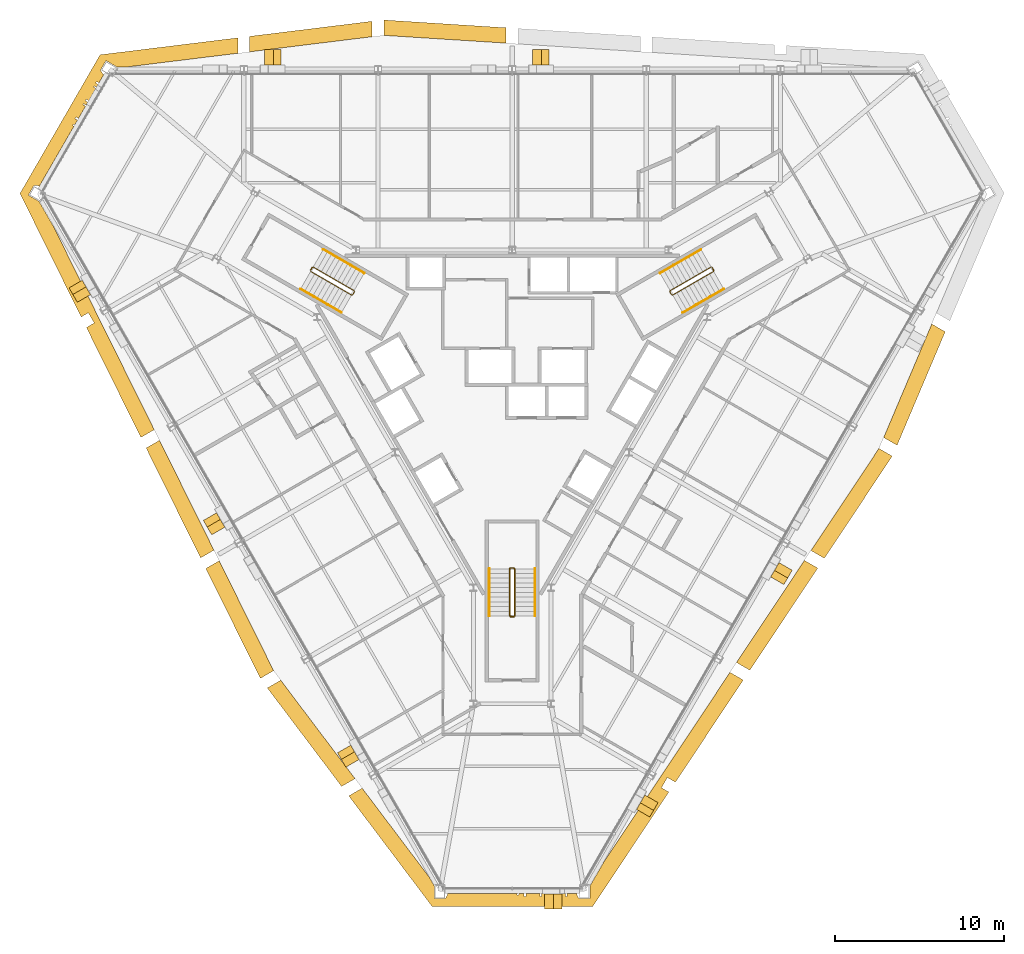
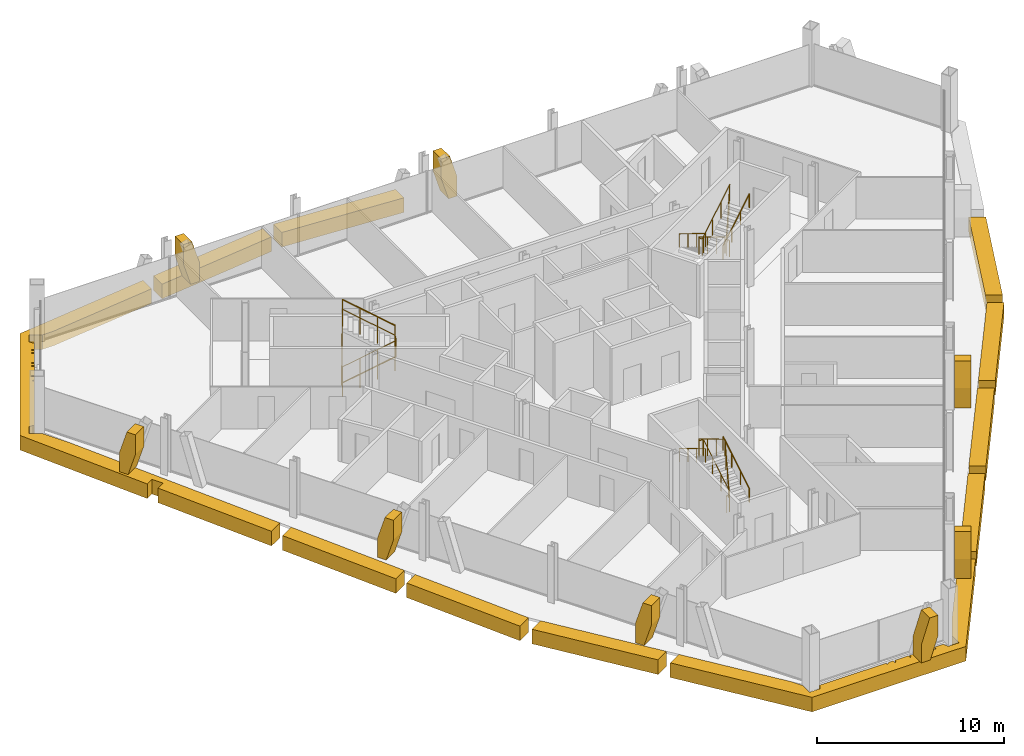
# One storey, part 13 of 14: 18 coverings, 9 railings.
"""IFC4 building model written with IfcOpenShell, lengths in metres."""

from ifc_helpers import new_model, si_unit, direction, frame, origin, origin_2d, place, context, subcontext, project, spatial, polyline, circle, outline, extrude, material, layer, layer_set, type_object, element, save


model = new_model("IFC4")

# Units and contexts
model_context = context("Model", 3, precision=1e-05, world=origin(), true_north=direction((0.0, 1.0)))
body_context = subcontext(model_context, "Body", "Model", "MODEL_VIEW")
ifc_project = project(units=[si_unit("LENGTHUNIT", "METRE"), si_unit("AREAUNIT", "SQUARE_METRE"), si_unit("VOLUMEUNIT", "CUBIC_METRE"), si_unit("PLANEANGLEUNIT", "RADIAN"), si_unit("MASSUNIT", "GRAM", prefix="KILO")], contexts=[model_context])

# Site, building, storey
site_placement = place(None, origin())
site = spatial("IfcSite", under=ifc_project, at=site_placement, CompositionType="ELEMENT")
building_placement = place(site_placement, origin())
building = spatial("IfcBuilding", under=site, at=building_placement, Name="Verrane Prism Tower", CompositionType="ELEMENT")
storey_placement = place(building_placement, frame((0.0, 0.0, 193.199951171875)))
storey = spatial("IfcBuildingStorey", under=building, at=storey_placement, Name="L48", CompositionType="ELEMENT", Elevation=193.199951171875)

# Railings
ifc_material_1 = material(Name="Steel A36 rail and posts, no infill", Category="steel")
railing_type_1 = type_object("IfcRailingType", Name="Stair guard 1100 steel rail and posts", PredefinedType="GUARDRAIL", material=ifc_material_1)
railing_1_placement = place(storey_placement, frame((11.78955078125, 6.97998046875, 0.168212890625)))
element("IfcRailing", 1, at=railing_1_placement, inside=storey, type_object=railing_type_1, Name="Stair 1 guard", PredefinedType="GUARDRAIL", context=body_context, shape_type="SweptSolid", body=[
    extrude(circle(Radius=0.02392578125, at=origin_2d()), frame((0.0, 0.0, 1.076171875), z_axis=(-0.742366697286, -0.42866220388, 0.514917859203), x_axis=(0.500049511043, -0.865996816683, 0.0)), (0.0, 0.0, 1.0), 3.266357421875),
    extrude(circle(Radius=0.02392578125, at=origin_2d()), frame((-2.4248046875, -1.400146484375, 2.7578125), z_axis=(-0.259601060869, -0.965715946433, 0.0), x_axis=(0.965715946433, -0.259601060869, 0.0)), (0.0, 0.0, 1.0), 0.070556640625),
    extrude(circle(Radius=0.02392578125, at=origin_2d()), frame((-2.443115234375, -1.46826171875, 2.7578125), z_axis=(0.499158860599, -0.866510491504, 0.0), x_axis=(0.866510491504, 0.499158860599, 0.0)), (0.0, 0.0, 1.0), 0.199951171875),
    extrude(circle(Radius=0.02392578125, at=origin_2d()), frame((-2.34326171875, -1.6416015625, 2.7578125), z_axis=(0.374585375571, -0.100335368456, 0.921747584887), x_axis=(0.258736085224, 0.965948051503, 0.0)), (0.0, 0.0, 1.0), 0.182373046875),
    extrude(circle(Radius=0.02392578125, at=origin_2d()), frame((-2.27490234375, -1.659912109375, 2.92626953125), z_axis=(0.742395268701, 0.428678701772, 0.514862928999), x_axis=(-0.500049511043, 0.865996816683, 0.0)), (0.0, 0.0, 1.0), 3.26611328125),
    extrude(circle(Radius=0.02392578125, at=origin_2d()), frame((0.14990234375, -0.259765625, 4.60791015625), z_axis=(-0.021986835041, 0.065104730107, -0.997636182785), x_axis=(-0.947430582667, -0.3199613899, 0.0)), (0.0, 0.0, 1.0), 3.708740234375),
    extrude(circle(Radius=0.02392578125, at=origin_2d()), frame((0.068359375, -0.018310546875, 0.90771484375), z_axis=(0.499158860599, -0.866510491504, 0.0), x_axis=(0.866510491504, 0.499158860599, 0.0)), (0.0, 0.0, 1.0), 0.199951171875),
    extrude(circle(Radius=0.02099609375, at=origin_2d()), origin(), (0.0, 0.0, 1.0), 1.052001953125),
    extrude(circle(Radius=0.02099609375, at=origin_2d()), frame((-0.808349609375, -0.466796875, 0.560546875)), (0.0, 0.0, 1.0), 1.052001953125),
    extrude(circle(Radius=0.02099609375, at=origin_2d()), frame((-1.616455078125, -0.933349609375, 1.121337890625)), (0.0, 0.0, 1.0), 1.052001953125),
    extrude(circle(Radius=0.02099609375, at=origin_2d()), frame((-2.4248046875, -1.400146484375, 1.681884765625)), (0.0, 0.0, 1.0), 1.052001953125),
    extrude(circle(Radius=0.02099609375, at=origin_2d()), frame((-2.443115234375, -1.46826171875, 1.681884765625)), (0.0, 0.0, 1.0), 1.052001953125),
    extrude(circle(Radius=0.02099609375, at=origin_2d()), frame((-2.34326171875, -1.6416015625, 1.681884765625)), (0.0, 0.0, 1.0), 1.052001953125),
    extrude(circle(Radius=0.02099609375, at=origin_2d()), frame((-2.27490234375, -1.659912109375, 1.85009765625)), (0.0, 0.0, 1.0), 1.052001953125),
    extrude(circle(Radius=0.02099609375, at=origin_2d()), frame((-1.466552734375, -1.193115234375, 2.41064453125)), (0.0, 0.0, 1.0), 1.052001953125),
    extrude(circle(Radius=0.02099609375, at=origin_2d()), frame((-0.658447265625, -0.7265625, 2.97119140625)), (0.0, 0.0, 1.0), 1.052001953125),
    extrude(circle(Radius=0.02099609375, at=origin_2d()), frame((0.14990234375, -0.259765625, 3.53173828125)), (0.0, 0.0, 1.0), 1.052001953125),
    extrude(circle(Radius=0.02099609375, at=origin_2d()), frame((0.12939453125, -0.199462890625, 2.606689453125)), (0.0, 0.0, 1.0), 1.052001953125),
    extrude(circle(Radius=0.02099609375, at=origin_2d()), frame((0.109130859375, -0.13916015625, 1.681640625)), (0.0, 0.0, 1.0), 1.052001953125),
    extrude(circle(Radius=0.02099609375, at=origin_2d()), frame((0.0888671875, -0.07861328125, 0.7568359375)), (0.0, 0.0, 1.0), 1.052001953125),
    extrude(circle(Radius=0.02099609375, at=origin_2d()), frame((0.068359375, -0.018310546875, -0.168212890625)), (0.0, 0.0, 1.0), 1.052001953125),
    extrude(circle(Radius=0.02099609375, at=origin_2d()), frame((0.168212890625, -0.191650390625, -0.168212890625)), (0.0, 0.0, 1.0), 1.052001953125),
])
railing_2_placement = place(storey_placement, frame((-11.939453125, 6.72021484375, 0.168212890625)))
element("IfcRailing", 2, at=railing_2_placement, inside=storey, type_object=railing_type_1, Name="Stair 2 guard", PredefinedType="GUARDRAIL", context=body_context, shape_type="SweptSolid", body=[
    extrude(circle(Radius=0.02392578125, at=origin_2d()), frame((0.0, 0.0, 1.076171875), z_axis=(0.742366697286, -0.42866220388, 0.514917859203), x_axis=(0.500049511043, 0.865996816683, 0.0)), (0.0, 0.0, 1.0), 3.266357421875),
    extrude(circle(Radius=0.02392578125, at=origin_2d()), frame((2.4248046875, -1.400146484375, 2.7578125), z_axis=(0.965948051503, 0.258736085224, 0.0), x_axis=(-0.258736085224, 0.965948051503, 0.0)), (0.0, 0.0, 1.0), 0.07080078125),
    extrude(circle(Radius=0.02392578125, at=origin_2d()), frame((2.4931640625, -1.3818359375, 2.7578125), z_axis=(0.499158860599, 0.866510491504, 0.0), x_axis=(-0.866510491504, 0.499158860599, 0.0)), (0.0, 0.0, 1.0), 0.199951171875),
    extrude(circle(Radius=0.02392578125, at=origin_2d()), frame((2.593017578125, -1.20849609375, 2.7578125), z_axis=(-0.100385596638, 0.373434419493, 0.922209014446), x_axis=(-0.965715946433, -0.259601060869, 0.0)), (0.0, 0.0, 1.0), 0.182373046875),
    extrude(circle(Radius=0.02392578125, at=origin_2d()), frame((2.57470703125, -1.140380859375, 2.92626953125), z_axis=(-0.742395268701, 0.428678701772, 0.514862928999), x_axis=(-0.500049511043, -0.865996816683, 0.0)), (0.0, 0.0, 1.0), 3.26611328125),
    extrude(circle(Radius=0.02392578125, at=origin_2d()), frame((0.14990234375, 0.259765625, 4.60791015625), z_axis=(-0.04535595117, -0.051675503147, -0.99763343973), x_axis=(0.751567565678, -0.659656118156, 0.0)), (0.0, 0.0, 1.0), 3.708740234375),
    extrude(circle(Radius=0.02392578125, at=origin_2d()), frame((-0.018310546875, 0.068115234375, 0.90771484375), z_axis=(0.499158860599, 0.866510491504, 0.0), x_axis=(-0.866510491504, 0.499158860599, 0.0)), (0.0, 0.0, 1.0), 0.199951171875),
    extrude(circle(Radius=0.02099609375, at=origin_2d()), origin(), (0.0, 0.0, 1.0), 1.052001953125),
    extrude(circle(Radius=0.02099609375, at=origin_2d()), frame((0.808349609375, -0.466796875, 0.560546875)), (0.0, 0.0, 1.0), 1.052001953125),
    extrude(circle(Radius=0.02099609375, at=origin_2d()), frame((1.616455078125, -0.933349609375, 1.121337890625)), (0.0, 0.0, 1.0), 1.052001953125),
    extrude(circle(Radius=0.02099609375, at=origin_2d()), frame((2.4248046875, -1.400146484375, 1.681884765625)), (0.0, 0.0, 1.0), 1.052001953125),
    extrude(circle(Radius=0.02099609375, at=origin_2d()), frame((2.4931640625, -1.3818359375, 1.681884765625)), (0.0, 0.0, 1.0), 1.052001953125),
    extrude(circle(Radius=0.02099609375, at=origin_2d()), frame((2.593017578125, -1.20849609375, 1.681884765625)), (0.0, 0.0, 1.0), 1.052001953125),
    extrude(circle(Radius=0.02099609375, at=origin_2d()), frame((2.57470703125, -1.140380859375, 1.85009765625)), (0.0, 0.0, 1.0), 1.052001953125),
    extrude(circle(Radius=0.02099609375, at=origin_2d()), frame((1.766357421875, -0.673583984375, 2.41064453125)), (0.0, 0.0, 1.0), 1.052001953125),
    extrude(circle(Radius=0.02099609375, at=origin_2d()), frame((0.958251953125, -0.20703125, 2.97119140625)), (0.0, 0.0, 1.0), 1.052001953125),
    extrude(circle(Radius=0.02099609375, at=origin_2d()), frame((0.14990234375, 0.259765625, 3.53173828125)), (0.0, 0.0, 1.0), 1.052001953125),
    extrude(circle(Radius=0.02099609375, at=origin_2d()), frame((0.10791015625, 0.2119140625, 2.606689453125)), (0.0, 0.0, 1.0), 1.052001953125),
    extrude(circle(Radius=0.02099609375, at=origin_2d()), frame((0.06591796875, 0.1640625, 1.681640625)), (0.0, 0.0, 1.0), 1.052001953125),
    extrude(circle(Radius=0.02099609375, at=origin_2d()), frame((0.023681640625, 0.115966796875, 0.7568359375)), (0.0, 0.0, 1.0), 1.052001953125),
    extrude(circle(Radius=0.02099609375, at=origin_2d()), frame((-0.018310546875, 0.068115234375, -0.168212890625)), (0.0, 0.0, 1.0), 1.052001953125),
    extrude(circle(Radius=0.02099609375, at=origin_2d()), frame((0.08154296875, 0.241455078125, -0.168212890625)), (0.0, 0.0, 1.0), 1.052001953125),
])
railing_3_placement = place(storey_placement, frame((0.14990234375, -13.699951171875, 0.168212890625)))
element("IfcRailing", 3, at=railing_3_placement, inside=storey, type_object=railing_type_1, Name="Stair 3 guard", PredefinedType="GUARDRAIL", context=body_context, shape_type="SweptSolid", body=[
    extrude(circle(Radius=0.02392578125, at=origin_2d()), frame((0.0, 0.0, 1.076171875), z_axis=(0.0, 0.857242210791, 0.514913383045), x_axis=(-1.0, 0.0, 0.0)), (0.0, 0.0, 1.0), 3.266357421875),
    extrude(circle(Radius=0.02392578125, at=origin_2d()), frame((0.0, 2.800048828125, 2.7578125), z_axis=(-0.707106781187, 0.707106781187, 0.0), x_axis=(-0.707106781187, -0.707106781187, 0.0)), (0.0, 0.0, 1.0), 0.0703125),
    extrude(circle(Radius=0.02392578125, at=origin_2d()), frame((-0.0498046875, 2.849853515625, 2.7578125), z_axis=(-1.0, 0.0, 0.0), x_axis=(0.0, -1.0, 0.0)), (0.0, 0.0, 1.0), 0.2001953125),
    extrude(circle(Radius=0.02392578125, at=origin_2d()), frame((-0.25, 2.849853515625, 2.7578125), z_axis=(-0.273106073848, -0.273106073848, 0.922402376869), x_axis=(0.707106781187, -0.707106781187, 0.0)), (0.0, 0.0, 1.0), 0.182373046875),
    extrude(circle(Radius=0.02392578125, at=origin_2d()), frame((-0.2998046875, 2.800048828125, 2.92626953125), z_axis=(0.0, -0.857275202839, 0.514858452973), x_axis=(1.0, 0.0, 0.0)), (0.0, 0.0, 1.0), 3.26611328125),
    extrude(circle(Radius=0.02392578125, at=origin_2d()), frame((-0.2998046875, 0.0, 4.60791015625), z_axis=(0.067408604812, -0.013494886706, -0.997634185476), x_axis=(0.196300278283, 0.98054382908, 0.0)), (0.0, 0.0, 1.0), 3.708740234375),
    extrude(circle(Radius=0.02392578125, at=origin_2d()), frame((-0.0498046875, -0.050048828125, 0.90771484375), z_axis=(-1.0, 0.0, 0.0), x_axis=(0.0, -1.0, 0.0)), (0.0, 0.0, 1.0), 0.2001953125),
    extrude(circle(Radius=0.02099609375, at=origin_2d()), origin(), (0.0, 0.0, 1.0), 1.052001953125),
    extrude(circle(Radius=0.02099609375, at=origin_2d()), frame((0.0, 0.933349609375, 0.560546875)), (0.0, 0.0, 1.0), 1.052001953125),
    extrude(circle(Radius=0.02099609375, at=origin_2d()), frame((0.0, 1.86669921875, 1.121337890625)), (0.0, 0.0, 1.0), 1.052001953125),
    extrude(circle(Radius=0.02099609375, at=origin_2d()), frame((0.0, 2.800048828125, 1.681884765625)), (0.0, 0.0, 1.0), 1.052001953125),
    extrude(circle(Radius=0.02099609375, at=origin_2d()), frame((-0.0498046875, 2.849853515625, 1.681884765625)), (0.0, 0.0, 1.0), 1.052001953125),
    extrude(circle(Radius=0.02099609375, at=origin_2d()), frame((-0.25, 2.849853515625, 1.681884765625)), (0.0, 0.0, 1.0), 1.052001953125),
    extrude(circle(Radius=0.02099609375, at=origin_2d()), frame((-0.2998046875, 2.800048828125, 1.85009765625)), (0.0, 0.0, 1.0), 1.052001953125),
    extrude(circle(Radius=0.02099609375, at=origin_2d()), frame((-0.2998046875, 1.86669921875, 2.41064453125)), (0.0, 0.0, 1.0), 1.052001953125),
    extrude(circle(Radius=0.02099609375, at=origin_2d()), frame((-0.2998046875, 0.933349609375, 2.97119140625)), (0.0, 0.0, 1.0), 1.052001953125),
    extrude(circle(Radius=0.02099609375, at=origin_2d()), frame((-0.2998046875, 0.0, 3.53173828125)), (0.0, 0.0, 1.0), 1.052001953125),
    extrude(circle(Radius=0.02099609375, at=origin_2d()), frame((-0.2373046875, -0.012451171875, 2.606689453125)), (0.0, 0.0, 1.0), 1.052001953125),
    extrude(circle(Radius=0.02099609375, at=origin_2d()), frame((-0.1748046875, -0.02490234375, 1.681640625)), (0.0, 0.0, 1.0), 1.052001953125),
    extrude(circle(Radius=0.02099609375, at=origin_2d()), frame((-0.1123046875, -0.03759765625, 0.7568359375)), (0.0, 0.0, 1.0), 1.052001953125),
    extrude(circle(Radius=0.02099609375, at=origin_2d()), frame((-0.0498046875, -0.050048828125, -0.168212890625)), (0.0, 0.0, 1.0), 1.052001953125),
    extrude(circle(Radius=0.02099609375, at=origin_2d()), frame((-0.25, -0.050048828125, -0.168212890625)), (0.0, 0.0, 1.0), 1.052001953125),
])
ifc_material_2 = material(Name="Steel A36 tube", Category="steel")
railing_type_2 = type_object("IfcRailingType", Name="Stair handrail 900 steel tube", PredefinedType="HANDRAIL", material=ifc_material_2)
railing_4_placement = place(storey_placement, frame((11.189453125, 8.01904296875, 0.168212890625)))
element("IfcRailing", 4, at=railing_4_placement, inside=storey, type_object=railing_type_2, Name="Stair 1 handrail", PredefinedType="HANDRAIL", context=body_context, shape_type="SweptSolid", body=[
    extrude(circle(Radius=0.02392578125, at=origin_2d()), frame((0.0, 0.0, 0.8759765625), z_axis=(-0.742390482028, -0.42860119049, 0.514934356695), x_axis=(0.49998411664, -0.866034573852, 0.0)), (0.0, 0.0, 1.0), 3.26611328125),
    extrude(circle(Radius=0.02099609375, at=origin_2d()), origin(), (0.0, 0.0, 1.0), 0.851806640625),
    extrude(circle(Radius=0.02099609375, at=origin_2d()), frame((-0.808349609375, -0.466552734375, 0.560546875)), (0.0, 0.0, 1.0), 0.851806640625),
    extrude(circle(Radius=0.02099609375, at=origin_2d()), frame((-1.616455078125, -0.933349609375, 1.121337890625)), (0.0, 0.0, 1.0), 0.851806640625),
    extrude(circle(Radius=0.02099609375, at=origin_2d()), frame((-2.4248046875, -1.39990234375, 1.681884765625)), (0.0, 0.0, 1.0), 0.851806640625),
])
railing_5_placement = place(storey_placement, frame((10.11474609375, 4.28076171875, 2.018310546875)))
element("IfcRailing", 5, at=railing_5_placement, inside=storey, type_object=railing_type_2, Name="Stair 1 handrail", PredefinedType="HANDRAIL", context=body_context, shape_type="SweptSolid", body=[
    extrude(circle(Radius=0.02392578125, at=origin_2d()), frame((0.0, 0.0, 0.8759765625), z_axis=(0.742395268701, 0.428678701772, 0.514862928999), x_axis=(-0.500049511043, 0.865996816683, 0.0)), (0.0, 0.0, 1.0), 3.26611328125),
    extrude(circle(Radius=0.02099609375, at=origin_2d()), origin(), (0.0, 0.0, 1.0), 0.851806640625),
    extrude(circle(Radius=0.02099609375, at=origin_2d()), frame((0.808349609375, 0.466796875, 0.560546875)), (0.0, 0.0, 1.0), 0.851806640625),
    extrude(circle(Radius=0.02099609375, at=origin_2d()), frame((1.616455078125, 0.933349609375, 1.12109375)), (0.0, 0.0, 1.0), 0.851806640625),
    extrude(circle(Radius=0.02099609375, at=origin_2d()), frame((2.4248046875, 1.400146484375, 1.681640625)), (0.0, 0.0, 1.0), 0.851806640625),
])
railing_6_placement = place(storey_placement, frame((-12.53955078125, 5.680908203125, 0.168212890625)))
element("IfcRailing", 6, at=railing_6_placement, inside=storey, type_object=railing_type_2, Name="Stair 2 handrail", PredefinedType="HANDRAIL", context=body_context, shape_type="SweptSolid", body=[
    extrude(circle(Radius=0.02392578125, at=origin_2d()), frame((0.0, 0.0, 0.8759765625), z_axis=(0.742366697286, -0.42866220388, 0.514917859203), x_axis=(0.500049511043, 0.865996816683, 0.0)), (0.0, 0.0, 1.0), 3.266357421875),
    extrude(circle(Radius=0.02099609375, at=origin_2d()), origin(), (0.0, 0.0, 1.0), 0.851806640625),
    extrude(circle(Radius=0.02099609375, at=origin_2d()), frame((0.808349609375, -0.466796875, 0.560546875)), (0.0, 0.0, 1.0), 0.851806640625),
    extrude(circle(Radius=0.02099609375, at=origin_2d()), frame((1.616455078125, -0.933349609375, 1.121337890625)), (0.0, 0.0, 1.0), 0.851806640625),
    extrude(circle(Radius=0.02099609375, at=origin_2d()), frame((2.4248046875, -1.400146484375, 1.681884765625)), (0.0, 0.0, 1.0), 0.851806640625),
])
railing_7_placement = place(storey_placement, frame((-8.7646484375, 6.619140625, 2.018310546875)))
element("IfcRailing", 7, at=railing_7_placement, inside=storey, type_object=railing_type_2, Name="Stair 2 handrail", PredefinedType="HANDRAIL", context=body_context, shape_type="SweptSolid", body=[
    extrude(circle(Radius=0.02392578125, at=origin_2d()), frame((0.0, 0.0, 0.8759765625), z_axis=(-0.74241905619, 0.428617687091, 0.514879426), x_axis=(-0.49998411664, -0.866034573852, 0.0)), (0.0, 0.0, 1.0), 3.26611328125),
    extrude(circle(Radius=0.02099609375, at=origin_2d()), origin(), (0.0, 0.0, 1.0), 0.851806640625),
    extrude(circle(Radius=0.02099609375, at=origin_2d()), frame((-0.808349609375, 0.466552734375, 0.560546875)), (0.0, 0.0, 1.0), 0.851806640625),
    extrude(circle(Radius=0.02099609375, at=origin_2d()), frame((-1.616455078125, 0.933349609375, 1.12109375)), (0.0, 0.0, 1.0), 0.851806640625),
    extrude(circle(Radius=0.02099609375, at=origin_2d()), frame((-2.4248046875, 1.39990234375, 1.681640625)), (0.0, 0.0, 1.0), 0.851806640625),
])
railing_8_placement = place(storey_placement, frame((1.35009765625, -13.699951171875, 0.168212890625)))
element("IfcRailing", 8, at=railing_8_placement, inside=storey, type_object=railing_type_2, Name="Stair 3 handrail", PredefinedType="HANDRAIL", context=body_context, shape_type="SweptSolid", body=[
    extrude(circle(Radius=0.02392578125, at=origin_2d()), frame((0.0, 0.0, 0.8759765625), z_axis=(0.0, 0.857242210791, 0.514913383045), x_axis=(-1.0, 0.0, 0.0)), (0.0, 0.0, 1.0), 3.266357421875),
    extrude(circle(Radius=0.02099609375, at=origin_2d()), origin(), (0.0, 0.0, 1.0), 0.851806640625),
    extrude(circle(Radius=0.02099609375, at=origin_2d()), frame((0.0, 0.933349609375, 0.560546875)), (0.0, 0.0, 1.0), 0.851806640625),
    extrude(circle(Radius=0.02099609375, at=origin_2d()), frame((0.0, 1.86669921875, 1.121337890625)), (0.0, 0.0, 1.0), 0.851806640625),
    extrude(circle(Radius=0.02099609375, at=origin_2d()), frame((0.0, 2.800048828125, 1.681884765625)), (0.0, 0.0, 1.0), 0.851806640625),
])
railing_9_placement = place(storey_placement, frame((-1.35009765625, -10.89990234375, 2.018310546875)))
element("IfcRailing", 9, at=railing_9_placement, inside=storey, type_object=railing_type_2, Name="Stair 3 handrail", PredefinedType="HANDRAIL", context=body_context, shape_type="SweptSolid", body=[
    extrude(circle(Radius=0.02392578125, at=origin_2d()), frame((0.0, 0.0, 0.8759765625), z_axis=(0.0, -0.857275202839, 0.514858452973), x_axis=(1.0, 0.0, 0.0)), (0.0, 0.0, 1.0), 3.26611328125),
    extrude(circle(Radius=0.02099609375, at=origin_2d()), origin(), (0.0, 0.0, 1.0), 0.851806640625),
    extrude(circle(Radius=0.02099609375, at=origin_2d()), frame((0.0, -0.933349609375, 0.560546875)), (0.0, 0.0, 1.0), 0.851806640625),
    extrude(circle(Radius=0.02099609375, at=origin_2d()), frame((0.0, -1.86669921875, 1.12109375)), (0.0, 0.0, 1.0), 0.851806640625),
    extrude(circle(Radius=0.02099609375, at=origin_2d()), frame((0.0, -2.800048828125, 1.681640625)), (0.0, 0.0, 1.0), 0.851806640625),
])

# Coverings
ifc_material_3 = material(Name="Warm limestone cladding", Category="masonry")
ifc_layer_1 = layer(ifc_material_3, 0.89990234375)
ifc_layer_set_1 = layer_set([ifc_layer_1], Name="Stone brace fin 900")
covering_type_1 = type_object("IfcCoveringType", Name="Stone brace fin 900", PredefinedType="CLADDING", material=ifc_layer_set_1)
for number, where, z_axis, x_axis, name in (
    (10, (2.194091796875, 19.4140625, 0.0), (0.0, 0.0, 1.0), (-1.0, 0.0, 0.0), "Stone brace fin N3 L48"),
    (11, (-13.705810546875, 19.4140625, 0.0), (0.0, 0.0, 1.0), (-1.0, 0.0, 0.0), "Stone brace fin N5 L48"),
    (12, (-25.86572265625, 5.97021484375, 0.0), (0.0, 0.0, 1.0), (0.49927013668, -0.866446380695, 0.0), "Stone brace fin SW1 L48"),
):
    element("IfcCovering", number, at=place(storey_placement, frame(where, z_axis=z_axis, x_axis=x_axis)), inside=storey, type_object=covering_type_1, Name=name, PredefinedType="CLADDING", context=body_context, shape_type="SweptSolid", body=[
        extrude(outline(polyline([(0.981201171875, 2.75), (0.4501953125, 2.75), (0.0, 1.283447265625), (0.0, 0.0), (0.527099609375, 0.0), (0.981201171875, 1.4794921875), (0.981201171875, 2.75)])), frame((0.0, 0.449951171875, 0.0), z_axis=(0.0, -1.0, 0.0), x_axis=(1.0, 0.0, 0.0)), (0.0, 0.0, 1.0), 0.89990234375),
    ])
for number, where, z_axis, x_axis, name in (
    (13, (-17.907958984375, -7.810546875, 0.0), (0.0, 0.0, 1.0), (0.500016598995, -0.866015820138, 0.0), "Stone brace fin SW3 L48"),
    (14, (-9.9580078125, -21.58056640625, 0.0), (0.0, 0.0, 1.0), (0.500203040675, -0.865908146456, 0.0), "Stone brace fin SW5 L48"),
):
    element("IfcCovering", number, at=place(storey_placement, frame(where, z_axis=z_axis, x_axis=x_axis)), inside=storey, type_object=covering_type_1, Name=name, PredefinedType="CLADDING", context=body_context, shape_type="SweptSolid", body=[
        extrude(outline(polyline([(0.98193359375, 2.75), (0.45068359375, 2.75), (0.0, 1.283447265625), (0.0, 0.0), (0.52734375, 0.0), (0.98193359375, 1.4794921875), (0.98193359375, 2.75)])), frame((0.0, 0.449951171875, 0.0), z_axis=(0.0, -1.0, 0.0), x_axis=(1.0, 0.0, 0.0)), (0.0, 0.0, 1.0), 0.89990234375),
    ])
covering_1_placement = place(storey_placement, frame((7.764404296875, -25.383056640625, 0.0), z_axis=(0.0, 0.0, 1.0), x_axis=(0.499083347159, 0.866553987117, 0.0)))
element("IfcCovering", 15, at=covering_1_placement, inside=storey, type_object=covering_type_1, Name="Stone brace fin SE1 L48", PredefinedType="CLADDING", context=body_context, shape_type="SweptSolid", body=[
    extrude(outline(polyline([(0.981201171875, 2.75), (0.4501953125, 2.75), (0.0, 1.283447265625), (0.0, 0.0), (0.527099609375, 0.0), (0.981201171875, 1.4794921875), (0.981201171875, 2.75)])), frame((0.0, 0.449951171875, 0.0), z_axis=(0.0, -1.0, 0.0), x_axis=(1.0, 0.0, 0.0)), (0.0, 0.0, 1.0), 0.89990234375),
])
covering_2_placement = place(storey_placement, frame((15.714111328125, -11.610595703125, 0.0), z_axis=(0.0, 0.0, 1.0), x_axis=(0.499916512745, 0.866073599808, 0.0)))
element("IfcCovering", 16, at=covering_2_placement, inside=storey, type_object=covering_type_1, Name="Stone brace fin SE3 L48", PredefinedType="CLADDING", context=body_context, shape_type="SweptSolid", body=[
    extrude(outline(polyline([(0.980224609375, 2.75), (0.44970703125, 2.75), (0.0, 1.283447265625), (0.0, 0.0), (0.526611328125, 0.0), (0.980224609375, 1.4794921875), (0.980224609375, 2.75)])), frame((0.0, 0.449951171875, 0.0), z_axis=(0.0, -1.0, 0.0), x_axis=(1.0, 0.0, 0.0)), (0.0, 0.0, 1.0), 0.89990234375),
])
covering_3_placement = place(storey_placement, frame((1.93212890625, -30.622314453125, 0.0), z_axis=(0.0, 0.0, 1.0), x_axis=(1.0, 0.0, 0.0)))
element("IfcCovering", 17, at=covering_3_placement, inside=storey, type_object=covering_type_1, Name="Stone brace fin S1 L48", PredefinedType="CLADDING", context=body_context, shape_type="SweptSolid", body=[
    extrude(outline(polyline([(1.027099609375, 2.75), (0.51513671875, 2.75), (0.0, 1.191650390625), (0.0, 0.0), (0.55419921875, 0.0), (1.027099609375, 1.431640625), (1.027099609375, 2.75)])), frame((0.0, 0.449951171875, 0.0), z_axis=(0.0, -1.0, 0.0), x_axis=(1.0, 0.0, 0.0)), (0.0, 0.0, 1.0), 0.89990234375),
])
ifc_material_4 = material(Name="Warm limestone cladding", Category="masonry")
ifc_layer_2 = layer(ifc_material_4, 0.449951171875)
ifc_layer_set_2 = layer_set([ifc_layer_2], Name="Stone spandrel band 450")
covering_type_2 = type_object("IfcCoveringType", Name="Stone spandrel band 450", PredefinedType="CLADDING", material=ifc_layer_set_2)
covering_4_placement = place(storey_placement, frame((0.0, 0.0, -0.949951171875)))
element("IfcCovering", 18, at=covering_4_placement, inside=storey, type_object=covering_type_2, Name="Stone spandrel band L48 part 1", PredefinedType="CLADDING", context=body_context, shape_type="SweptSolid", body=[
    extrude(outline(polyline([(4.762451171875, -30.92529296875), (9.28369140625, -24.12890625), (8.846923828125, -23.876953125), (9.197021484375, -23.270751953125), (9.672119140625, -23.544921875), (13.697265625, -17.49462890625), (12.90771484375, -17.038818359375), (5.440185546875, -28.263916015625), (4.610107421875, -29.701904296875), (4.610107421875, -30.449951171875), (3.949951171875, -30.449951171875), (3.949951171875, -30.427978515625), (3.839111328125, -30.239013671875), (3.839111328125, -30.148681640625), (3.261962890625, -30.148681640625), (3.261962890625, -30.320068359375), (3.152099609375, -30.320068359375), (3.152099609375, -30.148681640625), (2.959228515625, -30.148681640625), (2.959228515625, -30.320068359375), (2.887939453125, -30.320068359375), (2.887939453125, -30.148681640625), (2.04541015625, -30.148681640625), (2.04541015625, -30.320068359375), (1.93212890625, -30.320068359375), (1.93212890625, -30.148681640625), (1.736572265625, -30.148681640625), (1.736572265625, -30.320068359375), (1.665283203125, -30.320068359375), (1.665283203125, -30.148681640625), (0.822509765625, -30.148681640625), (0.822509765625, -30.320068359375), (0.709228515625, -30.320068359375), (0.709228515625, -30.148681640625), (0.426025390625, -30.148681640625), (0.34375, -30.263916015625), (0.27587890625, -30.21533203125), (0.323486328125, -30.148681640625), (-3.839111328125, -30.148681640625), (-3.839111328125, -30.239013671875), (-3.949951171875, -30.427978515625), (-3.949951171875, -30.449951171875), (-4.610107421875, -30.449951171875), (-4.610107421875, -29.701904296875), (-4.931396484375, -29.1455078125), (-8.8876953125, -23.900390625), (-9.681640625, -24.35888671875), (-4.728271484375, -30.92529296875), (4.762451171875, -30.92529296875)])), origin(), (0.0, 0.0, 1.0), 0.949951171875),
])
covering_5_placement = place(storey_placement, frame((0.0, 0.0, -0.949951171875)))
element("IfcCovering", 19, at=covering_5_placement, inside=storey, type_object=covering_type_2, Name="Stone spandrel band L48 part 3", PredefinedType="CLADDING", context=body_context, shape_type="SweptSolid", body=[
    extrude(outline(polyline([(-21.99951171875, -3.11474609375), (-21.2099609375, -2.658935546875), (-27.197509765625, 9.42041015625), (-28.037353515625, 10.87548828125), (-28.66748046875, 11.2392578125), (-28.33740234375, 11.810791015625), (-28.318359375, 11.7998046875), (-28.099609375, 11.7998046875), (-28.025146484375, 11.7568359375), (-25.948974609375, 15.352783203125), (-26.0263671875, 15.3447265625), (-26.034912109375, 15.427734375), (-25.897705078125, 15.441650390625), (-25.7548828125, 15.688720703125), (-25.901123046875, 15.77294921875), (-25.844482421875, 15.870849609375), (-25.698486328125, 15.78662109375), (-25.27783203125, 16.51513671875), (-25.42431640625, 16.599609375), (-25.388671875, 16.6611328125), (-25.2421875, 16.57666015625), (-25.144775390625, 16.745849609375), (-25.291015625, 16.830078125), (-25.234619140625, 16.927978515625), (-25.088134765625, 16.84375), (-24.667724609375, 17.572021484375), (-24.814208984375, 17.656494140625), (-24.778564453125, 17.71826171875), (-24.632080078125, 17.6337890625), (-24.535888671875, 17.80029296875), (-24.6826171875, 17.885009765625), (-24.627685546875, 17.979736328125), (-24.481201171875, 17.895263671875), (-24.192138671875, 18.3955078125), (-24.267578125, 18.43896484375), (-24.37841796875, 18.628173828125), (-24.3974609375, 18.63916015625), (-24.0673828125, 19.210693359375), (-23.430908203125, 18.843505859375), (-22.775146484375, 18.843505859375), (-16.25439453125, 19.647216796875), (-16.25439453125, 20.56396484375), (-24.41796875, 19.5576171875), (-29.163330078125, 11.338134765625), (-25.5380859375, 4.024658203125), (-25.1123046875, 4.2705078125), (-24.76220703125, 3.664306640625), (-25.226806640625, 3.39599609375), (-21.99951171875, -3.11474609375)])), origin(), (0.0, 0.0, 1.0), 0.949951171875),
])
covering_6_placement = place(storey_placement, frame((0.0, 0.0, -0.949951171875)))
element("IfcCovering", 20, at=covering_6_placement, inside=storey, type_object=covering_type_2, Name="Stone spandrel band L48 part 4", PredefinedType="CLADDING", context=body_context, shape_type="SweptSolid", body=[
    extrude(outline(polyline([(-17.67138671875, -9.79833984375), (-20.8984375, -3.287353515625), (-21.68798828125, -3.743408203125), (-18.460693359375, -10.254150390625), (-17.67138671875, -9.79833984375)])), origin(), (0.0, 0.0, 1.0), 0.949951171875),
])
covering_7_placement = place(storey_placement, frame((0.0, 0.0, -0.949951171875)))
element("IfcCovering", 21, at=covering_7_placement, inside=storey, type_object=covering_type_2, Name="Stone spandrel band L48 part 5", PredefinedType="CLADDING", context=body_context, shape_type="SweptSolid", body=[
    extrude(outline(polyline([(-14.132568359375, -16.937744140625), (-17.35986328125, -10.4267578125), (-18.1494140625, -10.882568359375), (-14.922119140625, -17.3935546875), (-14.132568359375, -16.937744140625)])), origin(), (0.0, 0.0, 1.0), 0.949951171875),
])
covering_8_placement = place(storey_placement, frame((0.0, 0.0, -0.949951171875)))
element("IfcCovering", 22, at=covering_8_placement, inside=storey, type_object=covering_type_2, Name="Stone spandrel band L48 part 6", PredefinedType="CLADDING", context=body_context, shape_type="SweptSolid", body=[
    extrude(outline(polyline([(-10.1064453125, -23.795654296875), (-9.3125, -23.33740234375), (-13.712890625, -17.50390625), (-14.5068359375, -17.962158203125), (-10.1064453125, -23.795654296875)])), origin(), (0.0, 0.0, 1.0), 0.949951171875),
])
covering_9_placement = place(storey_placement, frame((0.0, 0.0, -0.949951171875)))
element("IfcCovering", 23, at=covering_9_placement, inside=storey, type_object=covering_type_2, Name="Stone spandrel band L48 part 7", PredefinedType="CLADDING", context=body_context, shape_type="SweptSolid", body=[
    extrude(outline(polyline([(18.11083984375, -10.8603515625), (17.3212890625, -10.404541015625), (13.29638671875, -16.454833984375), (14.085693359375, -16.91064453125), (18.11083984375, -10.8603515625)])), origin(), (0.0, 0.0, 1.0), 0.949951171875),
])
covering_10_placement = place(storey_placement, frame((0.0, 0.0, -0.949951171875)))
element("IfcCovering", 24, at=covering_10_placement, inside=storey, type_object=covering_type_2, Name="Stone spandrel band L48 part 8", PredefinedType="CLADDING", context=body_context, shape_type="SweptSolid", body=[
    extrude(outline(polyline([(21.73486328125, -3.770263671875), (17.709716796875, -9.820556640625), (18.499267578125, -10.2763671875), (22.5244140625, -4.22607421875), (21.73486328125, -3.770263671875)])), origin(), (0.0, 0.0, 1.0), 0.949951171875),
])
covering_11_placement = place(storey_placement, frame((0.0, 0.0, -0.949951171875)))
element("IfcCovering", 25, at=covering_11_placement, inside=storey, type_object=covering_type_2, Name="Stone spandrel band L48 part 9", PredefinedType="CLADDING", context=body_context, shape_type="SweptSolid", body=[
    extrude(outline(polyline([(25.660888671875, 3.1455078125), (24.866943359375, 3.603759765625), (22.01513671875, -3.123779296875), (22.80908203125, -3.582275390625), (25.660888671875, 3.1455078125)])), origin(), (0.0, 0.0, 1.0), 0.949951171875),
])
covering_12_placement = place(storey_placement, frame((0.0, 0.0, -0.949951171875)))
element("IfcCovering", 26, at=covering_12_placement, inside=storey, type_object=covering_type_2, Name="Stone spandrel band L48 part 11", PredefinedType="CLADDING", context=body_context, shape_type="SweptSolid", body=[
    extrude(outline(polyline([(-7.602294921875, 21.61962890625), (-7.602294921875, 20.7080078125), (-0.35009765625, 20.247314453125), (-0.35009765625, 21.158935546875), (-7.602294921875, 21.61962890625)])), origin(), (0.0, 0.0, 1.0), 0.949951171875),
])
covering_13_placement = place(storey_placement, frame((0.0, 0.0, -0.949951171875)))
element("IfcCovering", 27, at=covering_13_placement, inside=storey, type_object=covering_type_2, Name="Stone spandrel band L48 part 12", PredefinedType="CLADDING", context=body_context, shape_type="SweptSolid", body=[
    extrude(outline(polyline([(-15.554443359375, 19.7333984375), (-8.30224609375, 20.627685546875), (-8.30224609375, 21.544189453125), (-11.67822265625, 21.128173828125), (-15.554443359375, 20.650146484375), (-15.554443359375, 19.7333984375)])), origin(), (0.0, 0.0, 1.0), 0.949951171875),
])

save(model, "model.ifc")
